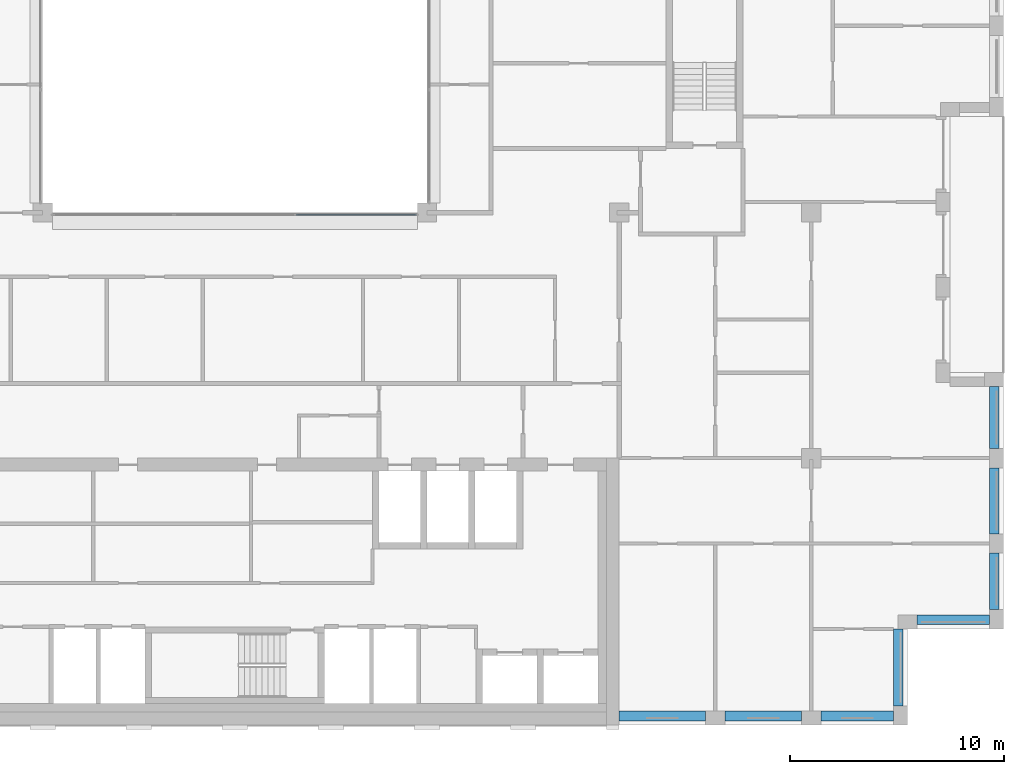
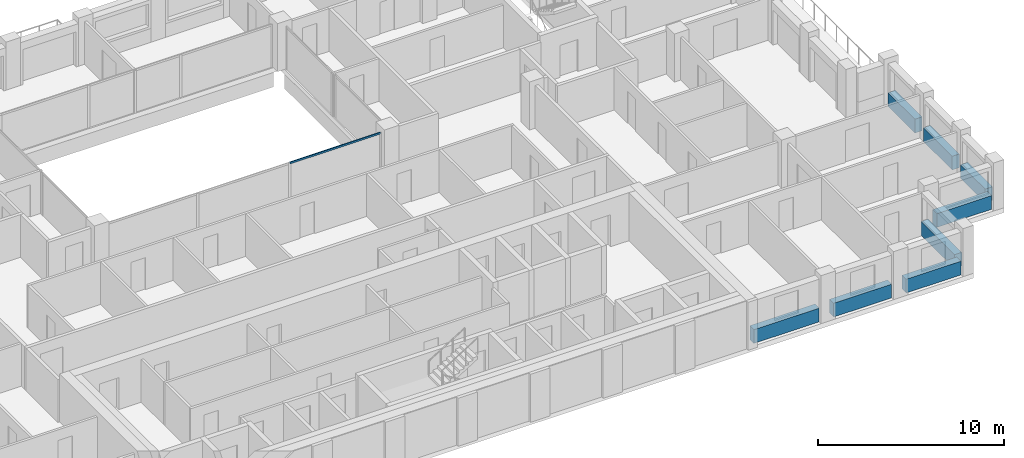
# One storey, part 3 of 15: 8 beams, 1 member, 1 element without a shape of its own.
"""IFC4 building model written with IfcOpenShell, lengths in metres."""

from ifc_helpers import new_model, si_unit, direction, frame, origin, origin_2d, place, context, subcontext, project, spatial, rectangle, extrude, material, layer, layer_set, material_profile, profile_set, type_object, element, aggregate, save


model = new_model("IFC4")

# Units and contexts
model_context = context("Model", 3, precision=1e-05, world=origin(), true_north=direction((0.0, 1.0)))
body_context = subcontext(model_context, "Body", "Model", "MODEL_VIEW")
ifc_project = project(units=[si_unit("LENGTHUNIT", "METRE"), si_unit("AREAUNIT", "SQUARE_METRE"), si_unit("VOLUMEUNIT", "CUBIC_METRE"), si_unit("PLANEANGLEUNIT", "RADIAN"), si_unit("MASSUNIT", "GRAM", prefix="KILO")], contexts=[model_context])

# Site, building, storey
site_placement = place(None, origin())
site = spatial("IfcSite", under=ifc_project, at=site_placement, CompositionType="ELEMENT")
building_placement = place(site_placement, origin())
building = spatial("IfcBuilding", under=site, at=building_placement, Name="Brigalow Station Residences", CompositionType="ELEMENT")
storey_placement = place(building_placement, frame((0.0, 0.0, 232.64990234375)))
storey = spatial("IfcBuildingStorey", under=building, at=storey_placement, Name="L67", CompositionType="ELEMENT", Elevation=232.64990234375)

# Curtain wall, member
ifc_material_1 = material(Name="Aluminium", Category="aluminium")
ifc_layer = layer(ifc_material_1, 0.14990234375)
ifc_layer_set = layer_set([ifc_layer], Name="ATRIUM FIRE-RATED GLAZING CURTAIN WALL")
curtain_wall_type = type_object("IfcCurtainWallType", Name="ATRIUM FIRE-RATED GLAZING CURTAIN WALL", PredefinedType="NOTDEFINED", material=ifc_layer_set)
curtain_wall_placement = place(storey_placement, origin())
curtain_wall = element("IfcCurtainWall", 1, at=curtain_wall_placement, inside=storey, type_object=curtain_wall_type, Name="L67/cw/atrium-S", PredefinedType="NOTDEFINED")
ifc_material_2 = material(Name="Aluminium", Category="aluminium")
ifc_material_profile_1 = material_profile(ifc_material_2, rectangle(XDim=0.06005859375, YDim=0.1201171875, at=origin_2d()), Name="ATRIUM FIRE-RATED GLAZING TRANSOM 60x120")
ifc_profile_set_1 = profile_set([ifc_material_profile_1], Name="Aluminium")
member_type = type_object("IfcMemberType", Name="ATRIUM FIRE-RATED GLAZING TRANSOM 60x120", PredefinedType="USERDEFINED", material=ifc_profile_set_1)
member_placement = place(storey_placement, frame((38.8798828125, 23.89990234375, 2.77001953125), z_axis=(1.0, 0.0, 0.0), x_axis=(0.0, 1.0, 0.0)))
member = element("IfcMember", 2, at=member_placement, type_object=member_type, Name="L67/cw/atrium-S/T02-00", ObjectType="TRANSOM", PredefinedType="USERDEFINED", context=body_context, shape_type="SweptSolid", body=[
    extrude(rectangle(XDim=0.06005859375, YDim=0.1201171875, at=origin_2d()), origin(), (0.0, 0.0, 1.0), 5.610107421875),
])
aggregate(curtain_wall, [member])

# Beams
ifc_material_3 = material(Name="Concrete C50", Category="concrete")
ifc_material_profile_2 = material_profile(ifc_material_3, rectangle(XDim=0.449951171875, YDim=0.89990234375, at=origin_2d()), Name="RC450x900")
ifc_profile_set_2 = profile_set([ifc_material_profile_2], Name="Concrete C50")
beam_type = type_object("IfcBeamType", Name="SPANDREL BEAM 450x900 C50", PredefinedType="SPANDREL", material=ifc_profile_set_2)
beam_1_placement = place(storey_placement, frame((54.0, 0.425048828125, 0.4501953125), z_axis=(1.0, 0.0, 0.0), x_axis=(0.0, 1.0, 0.0)))
element("IfcBeam", 3, at=beam_1_placement, inside=storey, type_object=beam_type, Name="L67/spandrel/W-L67-3", PredefinedType="SPANDREL", context=body_context, shape_type="SweptSolid", body=[
    extrude(rectangle(XDim=0.449951171875, YDim=0.89990234375, at=origin_2d()), origin(), (0.0, 0.0, 1.0), 4.050048828125),
])
beam_2_placement = place(storey_placement, frame((58.949951171875, 0.425048828125, 0.4501953125), z_axis=(1.0, 0.0, 0.0), x_axis=(0.0, 1.0, 0.0)))
element("IfcBeam", 4, at=beam_2_placement, inside=storey, type_object=beam_type, Name="L67/spandrel/W-L67-4", PredefinedType="SPANDREL", context=body_context, shape_type="SweptSolid", body=[
    extrude(rectangle(XDim=0.449951171875, YDim=0.89990234375, at=origin_2d()), origin(), (0.0, 0.0, 1.0), 3.60009765625),
])
beam_3_placement = place(storey_placement, frame((63.449951171875, 0.425048828125, 0.4501953125), z_axis=(1.0, 0.0, 0.0), x_axis=(0.0, 1.0, 0.0)))
element("IfcBeam", 5, at=beam_3_placement, inside=storey, type_object=beam_type, Name="L67/spandrel/W-L67-5", PredefinedType="SPANDREL", context=body_context, shape_type="SweptSolid", body=[
    extrude(rectangle(XDim=0.449951171875, YDim=0.89990234375, at=origin_2d()), origin(), (0.0, 0.0, 1.0), 3.400146484375),
])
beam_4_placement = place(storey_placement, frame((67.074951171875, 0.89990234375, 0.4501953125), z_axis=(0.0, 1.0, 0.0), x_axis=(-1.0, 0.0, 0.0)))
element("IfcBeam", 6, at=beam_4_placement, inside=storey, type_object=beam_type, Name="L67/spandrel/W-L67-6", PredefinedType="SPANDREL", context=body_context, shape_type="SweptSolid", body=[
    extrude(rectangle(XDim=0.449951171875, YDim=0.89990234375, at=origin_2d()), origin(), (0.0, 0.0, 1.0), 3.60009765625),
])
beam_5_placement = place(storey_placement, frame((67.949951171875, 4.925048828125, 0.4501953125), z_axis=(1.0, 0.0, 0.0), x_axis=(0.0, 1.0, 0.0)))
element("IfcBeam", 7, at=beam_5_placement, inside=storey, type_object=beam_type, Name="L67/spandrel/W-L67-7", PredefinedType="SPANDREL", context=body_context, shape_type="SweptSolid", body=[
    extrude(rectangle(XDim=0.449951171875, YDim=0.89990234375, at=origin_2d()), origin(), (0.0, 0.0, 1.0), 3.400146484375),
])
beam_6_placement = place(storey_placement, frame((71.574951171875, 5.39990234375, 0.4501953125), z_axis=(0.0, 1.0, 0.0), x_axis=(-1.0, 0.0, 0.0)))
element("IfcBeam", 8, at=beam_6_placement, inside=storey, type_object=beam_type, Name="L67/spandrel/W-L67-8", PredefinedType="SPANDREL", context=body_context, shape_type="SweptSolid", body=[
    extrude(rectangle(XDim=0.449951171875, YDim=0.89990234375, at=origin_2d()), origin(), (0.0, 0.0, 1.0), 2.650146484375),
])
beam_7_placement = place(storey_placement, frame((71.574951171875, 8.949951171875, 0.4501953125), z_axis=(0.0, 1.0, 0.0), x_axis=(-1.0, 0.0, 0.0)))
element("IfcBeam", 9, at=beam_7_placement, inside=storey, type_object=beam_type, Name="L67/spandrel/W-L67-9", PredefinedType="SPANDREL", context=body_context, shape_type="SweptSolid", body=[
    extrude(rectangle(XDim=0.449951171875, YDim=0.89990234375, at=origin_2d()), origin(), (0.0, 0.0, 1.0), 3.10009765625),
])
beam_8_placement = place(storey_placement, frame((71.574951171875, 12.949951171875, 0.4501953125), z_axis=(0.0, 1.0, 0.0), x_axis=(-1.0, 0.0, 0.0)))
element("IfcBeam", 10, at=beam_8_placement, inside=storey, type_object=beam_type, Name="L67/spandrel/W-L67-10", PredefinedType="SPANDREL", context=body_context, shape_type="SweptSolid", body=[
    extrude(rectangle(XDim=0.449951171875, YDim=0.89990234375, at=origin_2d()), origin(), (0.0, 0.0, 1.0), 2.900146484375),
])

save(model, "model.ifc")
